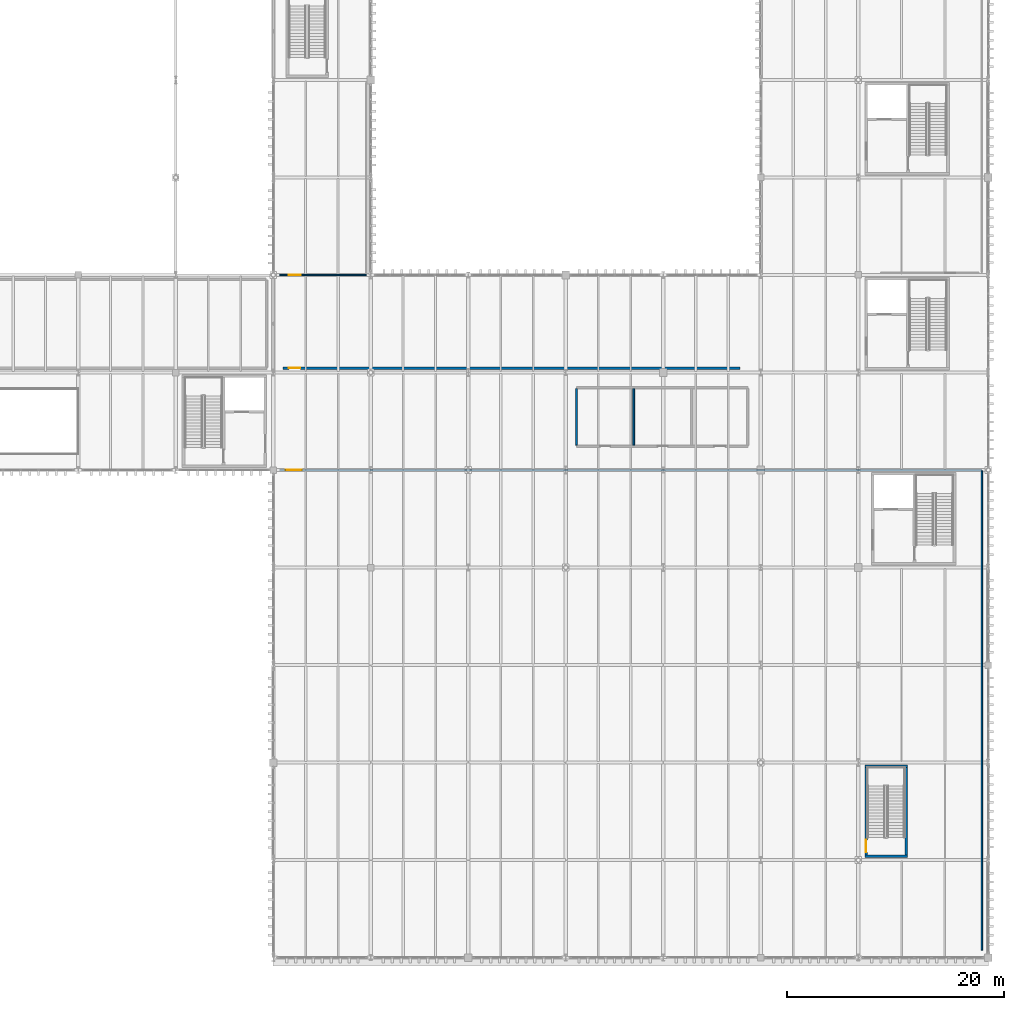
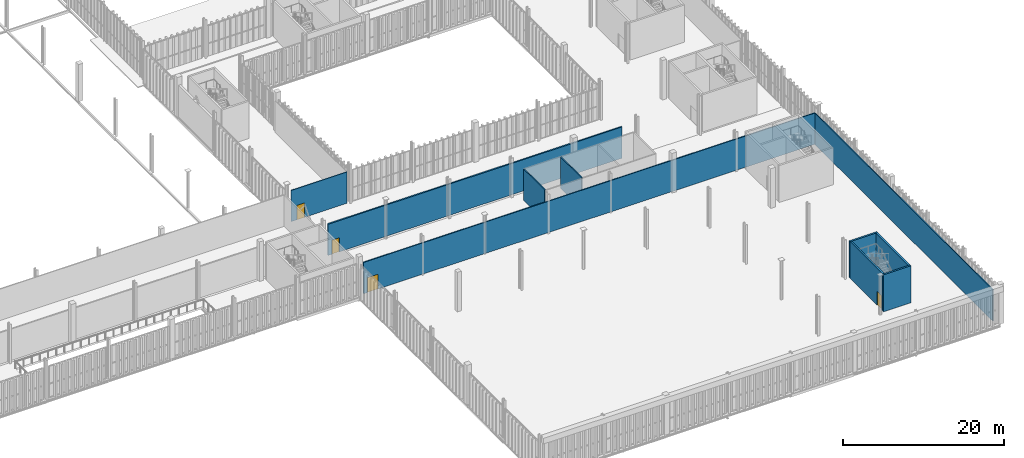
# One storey, part 209 of 237: 10 walls, 4 doors, 4 openings.
"""IFC4 building model written with IfcOpenShell, lengths in metres."""

import ifcopenshell
import ifcopenshell.guid

model = None  # the IFC model being written
_history = None  # IfcOwnerHistory: only IFC2X3 demands one
_inside = {}  # id of a spatial element -> (the spatial element, [elements in it])
_under = {}  # id of a project, library or spatial element -> (it, [spatial elements below it])
_declared = {}  # id of a project -> (the project, [libraries it declares])
_typed = {}  # id of a type object -> (the type object, [elements of that type])
_made_of = {}  # id of a material, layer set ... -> (it, [elements and type objects made of it])


def new_model(schema):
    """Start an empty IFC model of exactly this schema.

    Asked for "IFC4X3", IfcOpenShell would pick the latest addendum, in which some entities
    have other attributes; the version numbers below select the first issue.
    IFC2X3 requires an IfcOwnerHistory on every rooted entity: one is made here for all.
    """
    global model, _history
    if schema == "IFC4X3":
        model = ifcopenshell.file(schema_version=(4, 3, 0, 0))
    else:
        model = ifcopenshell.file(schema=schema)
    _inside.clear()
    _under.clear()
    _declared.clear()
    _typed.clear()
    _made_of.clear()
    _history = None
    if model.schema == "IFC2X3":
        org = make("IfcOrganization", Name="unknown")
        user = make(
            "IfcPersonAndOrganization",
            ThePerson=make("IfcPerson", FamilyName="unknown"),
            TheOrganization=org,
        )
        app = make(
            "IfcApplication",
            ApplicationDeveloper=org,
            Version="unknown",
            ApplicationFullName="unknown",
            ApplicationIdentifier="unknown",
        )
        _history = make(
            "IfcOwnerHistory",
            OwningUser=user,
            OwningApplication=app,
            ChangeAction="ADDED",
            CreationDate=0,
        )
    return model


def make(cls, **values):
    """One entity of the class cls with the attributes given. An attribute that is None is left unset."""
    return model.create_entity(
        cls, **{name: value for name, value in values.items() if value is not None}
    )


def rooted(cls, **values):
    """An entity with a GlobalId (a new one), such as an element, a storey or a relation."""
    return make(cls, GlobalId=ifcopenshell.guid.new(), OwnerHistory=_history, **values)


def si_unit(unit_type, name, prefix=None):
    """IfcSIUnit, for example si_unit("LENGTHUNIT", "METRE", prefix="MILLI")."""
    return make("IfcSIUnit", UnitType=unit_type, Prefix=prefix, Name=name)


def assignment(units):
    """IfcUnitAssignment: the units of a project."""
    return None if units is None else make("IfcUnitAssignment", Units=units)


def point(xyz):
    """IfcCartesianPoint."""
    return None if xyz is None else make("IfcCartesianPoint", Coordinates=xyz)


def direction(xyz):
    """IfcDirection."""
    return None if xyz is None else make("IfcDirection", DirectionRatios=xyz)


def frame(location, z_axis=None, x_axis=None):
    """IfcAxis2Placement3D, a coordinate frame: its origin and axes. An axis left out is left unset."""
    return make(
        "IfcAxis2Placement3D",
        Location=point(location),
        Axis=direction(z_axis),
        RefDirection=direction(x_axis),
    )


def frame_2d(location, x_axis=None):
    """IfcAxis2Placement2D, a coordinate frame in the plane: its origin and x axis."""
    return make(
        "IfcAxis2Placement2D", Location=point(location), RefDirection=direction(x_axis)
    )


def origin():
    """The frame at (0, 0, 0) with its axes left unset."""
    return frame((0.0, 0.0, 0.0))


def place(relative_to, where):
    """IfcLocalPlacement: puts the frame where relative to a parent placement (None: the world)."""
    return make(
        "IfcLocalPlacement", PlacementRelTo=relative_to, RelativePlacement=where
    )


def context(
    kind, dimensions, precision=None, world=None, true_north=None, identifier=None
):
    """IfcGeometricRepresentationContext, for example the 3D "Model" context."""
    return make(
        "IfcGeometricRepresentationContext",
        ContextIdentifier=identifier,
        ContextType=kind,
        CoordinateSpaceDimension=dimensions,
        Precision=precision,
        WorldCoordinateSystem=world,
        TrueNorth=true_north,
    )


def subcontext(parent, identifier, kind, view, scale=None):
    """IfcGeometricRepresentationSubContext, for example "Body" below "Model"."""
    return make(
        "IfcGeometricRepresentationSubContext",
        ContextIdentifier=identifier,
        ContextType=kind,
        ParentContext=parent,
        TargetScale=scale,
        TargetView=view,
    )


def project(units=None, contexts=None):
    """IfcProject with its units and contexts."""
    return rooted(
        "IfcProject",
        Name="project",
        RepresentationContexts=contexts,
        UnitsInContext=assignment(units),
    )


def spatial(cls, under=None, at=None, **own):
    """A site, building, storey or space (cls), placed at a placement, below another one or the project."""
    s = rooted(cls, ObjectPlacement=at, **own)
    if under is not None:
        _under.setdefault(under.id(), (under, []))[1].append(s)
    return s


def profile(cls, at=None, kind="AREA", **sizes):
    """A parametric profile (cls). Its sizes go by their IFC names, for example OverallWidth=200.0."""
    return make(cls, ProfileType=kind, Position=at, **sizes)


def rectangle(**sizes):
    """IfcRectangleProfileDef."""
    return profile("IfcRectangleProfileDef", **sizes)


def extrude(swept, where, along, depth):
    """IfcExtrudedAreaSolid: the profile swept, set in the frame where, extruded along a direction by depth."""
    return make(
        "IfcExtrudedAreaSolid",
        SweptArea=swept,
        Position=where,
        ExtrudedDirection=direction(along),
        Depth=depth,
    )


def shape(context_of_items, identifier, shape_type, items):
    """IfcShapeRepresentation: the items that make up one representation, for example the "Body"."""
    return make(
        "IfcShapeRepresentation",
        ContextOfItems=context_of_items,
        RepresentationIdentifier=identifier,
        RepresentationType=shape_type,
        Items=items,
    )


def material(Name=None, Category=None):
    """IfcMaterial."""
    return make("IfcMaterial", Name=Name, Category=Category)


def layer(
    of_material, thickness, ventilated=None, Name=None, Category=None, Priority=None
):
    """IfcMaterialLayer: one layer of a wall or slab, of a material (None: an air gap)."""
    return make(
        "IfcMaterialLayer",
        Material=of_material,
        LayerThickness=thickness,
        IsVentilated=ventilated,
        Name=Name,
        Category=Category,
        Priority=Priority,
    )


def layer_set(layers, Name=None):
    """IfcMaterialLayerSet."""
    return make("IfcMaterialLayerSet", MaterialLayers=layers, LayerSetName=Name)


def made_of(thing, what):
    """Note that an element or type object is made of a material, layer set ...; save() writes the relation."""
    if what is not None:
        _made_of.setdefault(what.id(), (what, []))[1].append(thing)
    return thing


def type_object(cls, material=None, **own):
    """A type object (cls), such as IfcWallType, which elements share."""
    return made_of(rooted(cls, **own), material)


def element(
    cls,
    number,
    at=None,
    inside=None,
    cuts=None,
    type_object=None,
    material=None,
    context=None,
    identifier="Body",
    shape_type=None,
    held_by="IfcProductDefinitionShape",
    body=None,
    shapes=None,
    **own,
):
    """One element of the class cls, such as IfcWall. Its Tag is "e" and its number.

    at: its placement. inside: the storey or other place that contains it. cuts: it is an
    opening in that element (IfcRelVoidsElement). A single representation is given by context,
    identifier, shape_type and body (its items); several are given by shapes. held_by: the class
    of the entity that holds the representations. save() writes the other relations.
    """
    e = rooted(cls, Tag="e%d" % number, ObjectPlacement=at, **own)
    if body is not None:
        shapes = [shape(context, identifier, shape_type, body)]
    if shapes is not None:
        e.Representation = make(held_by, Representations=shapes)
    if inside is not None:
        _inside.setdefault(inside.id(), (inside, []))[1].append(e)
    if cuts is not None:
        rooted(
            "IfcRelVoidsElement", RelatingBuildingElement=cuts, RelatedOpeningElement=e
        )
    if type_object is not None:
        _typed.setdefault(type_object.id(), (type_object, []))[1].append(e)
    return made_of(e, material)


def fill(opening, filler):
    """IfcRelFillsElement: the door or window that sits in an opening."""
    return rooted(
        "IfcRelFillsElement",
        RelatingOpeningElement=opening,
        RelatedBuildingElement=filler,
    )


def aggregate(whole, parts):
    """IfcRelAggregates: a whole, such as a stair, and the parts it consists of."""
    return rooted("IfcRelAggregates", RelatingObject=whole, RelatedObjects=parts)


def save(model, path):
    """Write the relations noted so far, then the file.

    IfcRelAggregates (storeys below a building ...), IfcRelContainedInSpatialStructure (elements
    in a storey), IfcRelDefinesByType, IfcRelAssociatesMaterial and IfcRelDeclares: one each for
    every whole, place, type object, material and project.
    """
    for whole, parts in _under.values():
        aggregate(whole, parts)
    for where, things in _inside.values():
        rooted(
            "IfcRelContainedInSpatialStructure",
            RelatedElements=things,
            RelatingStructure=where,
        )
    for kind, things in _typed.values():
        rooted("IfcRelDefinesByType", RelatedObjects=things, RelatingType=kind)
    for what, things in _made_of.values():
        rooted("IfcRelAssociatesMaterial", RelatedObjects=things, RelatingMaterial=what)
    for by, libraries in _declared.values():
        rooted("IfcRelDeclares", RelatingContext=by, RelatedDefinitions=libraries)
    model.write(path)


model = new_model("IFC4")

# Units and contexts
model_context = context("Model", 3, precision=1e-05, world=origin(), true_north=direction((0.0, 1.0)))
body_context = subcontext(model_context, "Body", "Model", "MODEL_VIEW")
ifc_project = project(units=[si_unit("LENGTHUNIT", "METRE"), si_unit("AREAUNIT", "SQUARE_METRE"), si_unit("VOLUMEUNIT", "CUBIC_METRE"), si_unit("PLANEANGLEUNIT", "RADIAN"), si_unit("MASSUNIT", "GRAM", prefix="KILO")], contexts=[model_context])

# Site, building, storey
site_placement = place(None, origin())
site = spatial("IfcSite", under=ifc_project, at=site_placement, CompositionType="ELEMENT")
building_placement = place(site_placement, origin())
building = spatial("IfcBuilding", under=site, at=building_placement, Name="Barlavento Convention Centre", CompositionType="ELEMENT")
storey_placement = place(building_placement, frame((0.0, 0.0, 12.0)))
storey = spatial("IfcBuildingStorey", under=building, at=storey_placement, Name="L02", CompositionType="ELEMENT", Elevation=12.0)

# Wall, opening, door
ifc_material_1 = material(Name="Concrete C40/50", Category="concrete")
ifc_layer_1 = layer(ifc_material_1, 0.199951171875)
ifc_layer_set_1 = layer_set([ifc_layer_1], Name="ARC-WL-FIRE-200")
wall_type_1 = type_object("IfcWallType", Name="ARC-WL-FIRE-200", PredefinedType="SOLIDWALL", material=ifc_layer_set_1)
wall_1_placement = place(storey_placement, frame((126.89990234375, 54.39990234375, 0.0), z_axis=(0.0, 0.0, 1.0), x_axis=(1.0, 0.0, 0.0)))
wall_1 = element("IfcWall", 1, at=wall_1_placement, inside=storey, type_object=wall_type_1, Name="L02 interior wall FW-01", PredefinedType="SOLIDWALL", context=body_context, shape_type="SweptSolid", body=[
    extrude(rectangle(XDim=42.2001953125, YDim=0.199951171875, at=frame_2d((21.10009765625, 0.0))), origin(), (0.0, 0.0, 1.0), 4.75),
])
opening_1_placement = place(wall_1_placement, frame((0.550048828125, 0.0, 0.0)))
opening_1 = element("IfcOpeningElement", 2, at=opening_1_placement, cuts=wall_1, Name="Opening FD-04", PredefinedType="OPENING", context=body_context, shape_type="SweptSolid", body=[
    extrude(rectangle(XDim=1.050048828125, YDim=2.14990234375, at=frame_2d((0.52490234375, 1.074951171875))), frame((0.0, 0.10986328125, 0.0), z_axis=(0.0, -1.0, 0.0), x_axis=(1.0, 0.0, 0.0)), (0.0, 0.0, 1.0), 0.219970703125),
])
ifc_material_2 = material(Name="Painted galvanized steel", Category="steel")
door_type_1 = type_object("IfcDoorType", Name="ARC-DR-FIRE-1050X2150", OperationType="NOTDEFINED", PredefinedType="DOOR", material=ifc_material_2)
door_1_placement = place(opening_1_placement, origin())
door_1 = element("IfcDoor", 3, at=door_1_placement, inside=storey, type_object=door_type_1, Name="DR-INT-L02-0229 L02 interior door FD-04", OperationType="SINGLE_SWING_RIGHT", OverallHeight=2.14990234375, OverallWidth=1.050048828125, PredefinedType="DOOR", context=body_context, shape_type="SweptSolid", body=[
    extrude(rectangle(XDim=1.050048828125, YDim=2.14990234375, at=frame_2d((0.52490234375, 1.074951171875))), frame((0.0, 0.02490234375, 0.0), z_axis=(0.0, -1.0, 0.0), x_axis=(1.0, 0.0, 0.0)), (0.0, 0.0, 1.0), 0.050048828125),
])
fill(opening_1, door_1)

ifc_material_3 = material(Name="Glazed office partition", Category="glass")
ifc_layer_2 = layer(ifc_material_3, 0.094970703125)
ifc_layer_set_2 = layer_set([ifc_layer_2], Name="ARC-WL-PART-095")
wall_type_2 = type_object("IfcWallType", Name="ARC-WL-PART-095", PredefinedType="PARTITIONING", material=ifc_layer_set_2)
wall_2_placement = place(storey_placement, frame((126.60009765625, 63.0, 0.0), z_axis=(0.0, 0.0, 1.0), x_axis=(1.0, 0.0, 0.0)))
wall_2 = element("IfcWall", 4, at=wall_2_placement, inside=storey, type_object=wall_type_2, Name="L02 interior wall PT-07", PredefinedType="PARTITIONING", context=body_context, shape_type="SweptSolid", body=[
    extrude(rectangle(XDim=8.0, YDim=0.094970703125, at=frame_2d((4.0, 0.0))), origin(), (0.0, 0.0, 1.0), 4.75),
])
opening_2_placement = place(wall_2_placement, frame((0.85009765625, 0.0, 0.0)))
opening_2 = element("IfcOpeningElement", 5, at=opening_2_placement, cuts=wall_2, Name="Opening ID-06", PredefinedType="OPENING", context=body_context, shape_type="SweptSolid", body=[
    extrude(rectangle(XDim=1.080078125, YDim=2.179931640625, at=frame_2d((0.5400390625, 1.08984375))), frame((0.0, 0.057373046875, 0.0), z_axis=(0.0, -1.0, 0.0), x_axis=(1.0, 0.0, 0.0)), (0.0, 0.0, 1.0), 0.114990234375),
])
ifc_material_4 = material(Name="Timber veneer acoustic core", Category="wood")
door_type_2 = type_object("IfcDoorType", Name="ARC-DR-ROOM-1080X2180", OperationType="NOTDEFINED", PredefinedType="DOOR", material=ifc_material_4)
door_2_placement = place(opening_2_placement, origin())
door_2 = element("IfcDoor", 6, at=door_2_placement, inside=storey, type_object=door_type_2, Name="DR-INT-L02-0230 L02 interior door ID-06", OperationType="SINGLE_SWING_LEFT", OverallHeight=2.179931640625, OverallWidth=1.080078125, PredefinedType="DOOR", context=body_context, shape_type="SweptSolid", body=[
    extrude(rectangle(XDim=1.080078125, YDim=2.179931640625, at=frame_2d((0.5400390625, 1.08984375))), frame((0.0, 0.02490234375, 0.0), z_axis=(0.0, -1.0, 0.0), x_axis=(1.0, 0.0, 0.0)), (0.0, 0.0, 1.0), 0.050048828125),
])
fill(opening_2, door_2)

ifc_material_5 = material(Name="Insulated gypsum partition")
ifc_layer_3 = layer(ifc_material_5, 0.139892578125)
ifc_layer_set_3 = layer_set([ifc_layer_3], Name="ARC-WL-PART-140")
wall_type_3 = type_object("IfcWallType", Name="ARC-WL-PART-140", PredefinedType="PARTITIONING", material=ifc_layer_set_3)
wall_3_placement = place(storey_placement, frame((126.60009765625, 45.0, 0.0), z_axis=(0.0, 0.0, 1.0), x_axis=(1.0, 0.0, 0.0)))
wall_3 = element("IfcWall", 7, at=wall_3_placement, inside=storey, type_object=wall_type_3, Name="L02 interior wall PT-04", PredefinedType="PARTITIONING", context=body_context, shape_type="SweptSolid", body=[
    extrude(rectangle(XDim=64.7998046875, YDim=0.139892578125, at=frame_2d((32.39990234375, 0.0))), origin(), (0.0, 0.0, 1.0), 4.75),
])
opening_3_placement = place(wall_3_placement, frame((0.550048828125, 0.0, 0.0)))
opening_3 = element("IfcOpeningElement", 8, at=opening_3_placement, cuts=wall_3, Name="Opening ID-04", PredefinedType="OPENING", context=body_context, shape_type="SweptSolid", body=[
    extrude(rectangle(XDim=1.5, YDim=2.25, at=frame_2d((0.75, 1.125))), frame((0.0, 0.079833984375, 0.0), z_axis=(0.0, -1.0, 0.0), x_axis=(1.0, 0.0, 0.0)), (0.0, 0.0, 1.0), 0.159912109375),
])
door_type_3 = type_object("IfcDoorType", Name="ARC-DR-CONF-1500X2250", OperationType="DOUBLE_DOOR_SINGLE_SWING", PredefinedType="DOOR", material=ifc_material_4)
door_3_placement = place(opening_3_placement, origin())
door_3 = element("IfcDoor", 9, at=door_3_placement, inside=storey, type_object=door_type_3, Name="DR-INT-L02-0228 L02 interior door ID-04", OperationType="DOUBLE_DOOR_SINGLE_SWING", OverallHeight=2.25, OverallWidth=1.5, PredefinedType="DOOR", context=body_context, shape_type="SweptSolid", body=[
    extrude(rectangle(XDim=1.5, YDim=2.25, at=frame_2d((0.75, 1.125))), frame((0.0, 0.02490234375, 0.0), z_axis=(0.0, -1.0, 0.0), x_axis=(1.0, 0.0, 0.0)), (0.0, 0.0, 1.0), 0.050048828125),
])
fill(opening_3, door_3)

# Walls
wall_4_placement = place(storey_placement, frame((191.39990234375, 0.68408203125, 0.0), z_axis=(0.0, 0.0, 1.0), x_axis=(0.0, 1.0, 0.0)))
element("IfcWall", 10, at=wall_4_placement, inside=storey, type_object=wall_type_3, Name="L02 interior wall PT-04", PredefinedType="PARTITIONING", context=body_context, shape_type="SweptSolid", body=[
    extrude(rectangle(XDim=44.23193359375, YDim=0.139892578125, at=frame_2d((22.115966796875, 0.0))), origin(), (0.0, 0.0, 1.0), 4.75),
])
ifc_material_6 = material(Name="Sanitary service chase plumbing wall")
ifc_layer_4 = layer(ifc_material_6, 0.159912109375)
ifc_layer_set_4 = layer_set([ifc_layer_4], Name="ARC-WL-PLMB-160")
wall_type_4 = type_object("IfcWallType", Name="ARC-WL-PLMB-160", PredefinedType="PLUMBINGWALL", material=ifc_layer_set_4)
for number, where, z_axis, x_axis, name in (
    (11, (154.0, 47.2880859375, 0.0), (0.0, 0.0, 1.0), (0.0, 1.0, 0.0), "L02 interior wall PW-03"),
    (12, (159.280029296875, 47.2880859375, 0.0), (0.0, 0.0, 1.0), (0.0, 1.0, 0.0), "L02 interior wall PW-03"),
):
    element("IfcWall", number, at=place(storey_placement, frame(where, z_axis=z_axis, x_axis=x_axis)), inside=storey, type_object=wall_type_4, Name=name, PredefinedType="PLUMBINGWALL", context=body_context, shape_type="SweptSolid", body=[
        extrude(rectangle(XDim=5.223876953125, YDim=0.159912109375, at=frame_2d((2.61181640625, 0.0))), origin(), (0.0, 0.0, 1.0), 4.75),
    ])

# Wall, opening, door
ifc_material_7 = material(Name="Concrete C50/60", Category="concrete")
ifc_layer_5 = layer(ifc_material_7, 0.25)
ifc_layer_set_5 = layer_set([ifc_layer_5], Name="STR-WL-CORE-250")
wall_type_5 = type_object("IfcWallType", Name="STR-WL-CORE-250", PredefinedType="SHEAR", material=ifc_layer_set_5)
wall_5_placement = place(storey_placement, frame((180.72509765625, 9.469970703125, 0.0), z_axis=(0.0, 0.0, 1.0), x_axis=(0.0, 1.0, 0.0)))
wall_5 = element("IfcWall", 13, at=wall_5_placement, inside=storey, type_object=wall_type_5, Name="L02 interior wall CW-02", PredefinedType="SHEAR", context=body_context, shape_type="SweptSolid", body=[
    extrude(rectangle(XDim=8.06005859375, YDim=0.25, at=frame_2d((4.030029296875, 0.0))), origin(), (0.0, 0.0, 1.0), 5.610107421875),
])
opening_4_placement = place(wall_5_placement, frame((0.25, 0.0, 0.0)))
opening_4 = element("IfcOpeningElement", 14, at=opening_4_placement, cuts=wall_5, Name="Opening FD-03", PredefinedType="OPENING", context=body_context, shape_type="SweptSolid", body=[
    extrude(rectangle(XDim=1.14990234375, YDim=2.14990234375, at=frame_2d((0.574951171875, 1.074951171875))), frame((0.0, 0.135009765625, 0.0), z_axis=(0.0, -1.0, 0.0), x_axis=(1.0, 0.0, 0.0)), (0.0, 0.0, 1.0), 0.27001953125),
])
door_type_4 = type_object("IfcDoorType", Name="ARC-DR-FIRE-1150X2150", OperationType="NOTDEFINED", PredefinedType="DOOR", material=ifc_material_2)
door_4_placement = place(opening_4_placement, origin())
door_4 = element("IfcDoor", 15, at=door_4_placement, inside=storey, type_object=door_type_4, Name="DR-INT-L02-0182 L02 ST14 stair fire door FD-03", OperationType="SINGLE_SWING_RIGHT", OverallHeight=2.14990234375, OverallWidth=1.14990234375, PredefinedType="DOOR", context=body_context, shape_type="SweptSolid", body=[
    extrude(rectangle(XDim=1.14990234375, YDim=2.14990234375, at=frame_2d((0.574951171875, 1.074951171875))), frame((0.0, 0.02490234375, 0.0), z_axis=(0.0, -1.0, 0.0), x_axis=(1.0, 0.0, 0.0)), (0.0, 0.0, 1.0), 0.050048828125),
])
fill(opening_4, door_4)

# Walls
wall_6_placement = place(storey_placement, frame((184.4150390625, 9.469970703125, 0.0), z_axis=(0.0, 0.0, 1.0), x_axis=(0.0, 1.0, 0.0)))
element("IfcWall", 16, at=wall_6_placement, inside=storey, type_object=wall_type_5, Name="L02 interior wall CW-02", PredefinedType="SHEAR", context=body_context, shape_type="SweptSolid", body=[
    extrude(rectangle(XDim=8.06005859375, YDim=0.25, at=frame_2d((4.030029296875, 0.0))), origin(), (0.0, 0.0, 1.0), 5.610107421875),
])
for number, where, z_axis, x_axis, name in (
    (17, (180.60009765625, 9.344970703125, 0.0), (0.0, 0.0, 1.0), (1.0, 0.0, 0.0), "L02 interior wall CW-02"),
    (18, (180.60009765625, 17.655029296875, 0.0), (0.0, 0.0, 1.0), (1.0, 0.0, 0.0), "L02 interior wall CW-02"),
):
    element("IfcWall", number, at=place(storey_placement, frame(where, z_axis=z_axis, x_axis=x_axis)), inside=storey, type_object=wall_type_5, Name=name, PredefinedType="SHEAR", context=body_context, shape_type="SweptSolid", body=[
        extrude(rectangle(XDim=3.93994140625, YDim=0.25, at=frame_2d((1.969970703125, 0.0))), origin(), (0.0, 0.0, 1.0), 5.610107421875),
    ])

save(model, "model.ifc")
